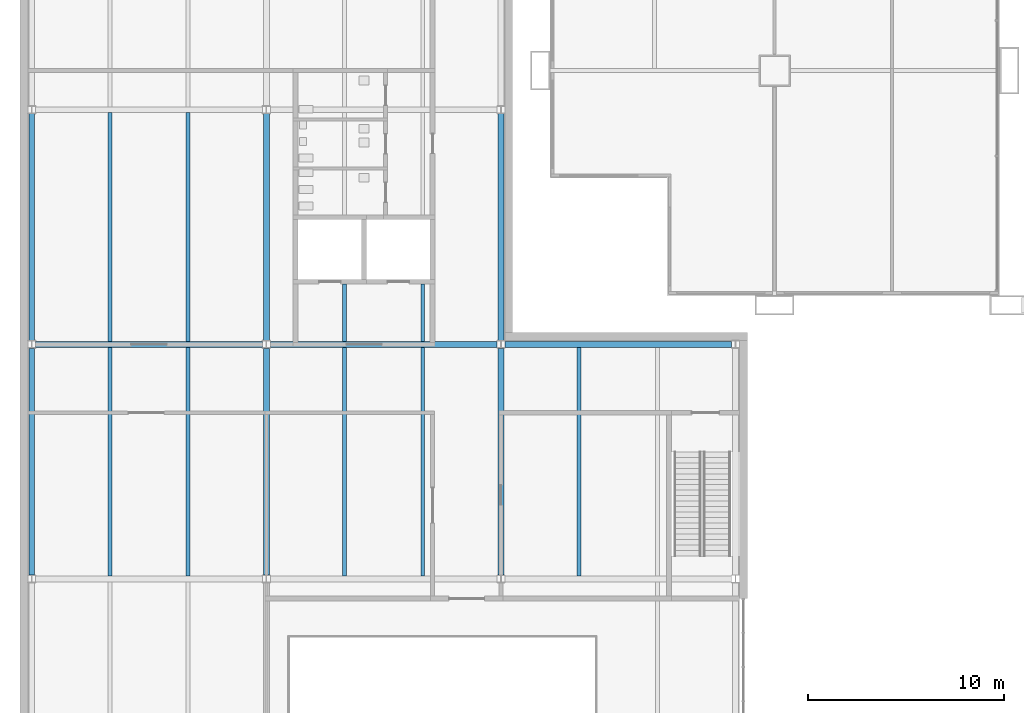
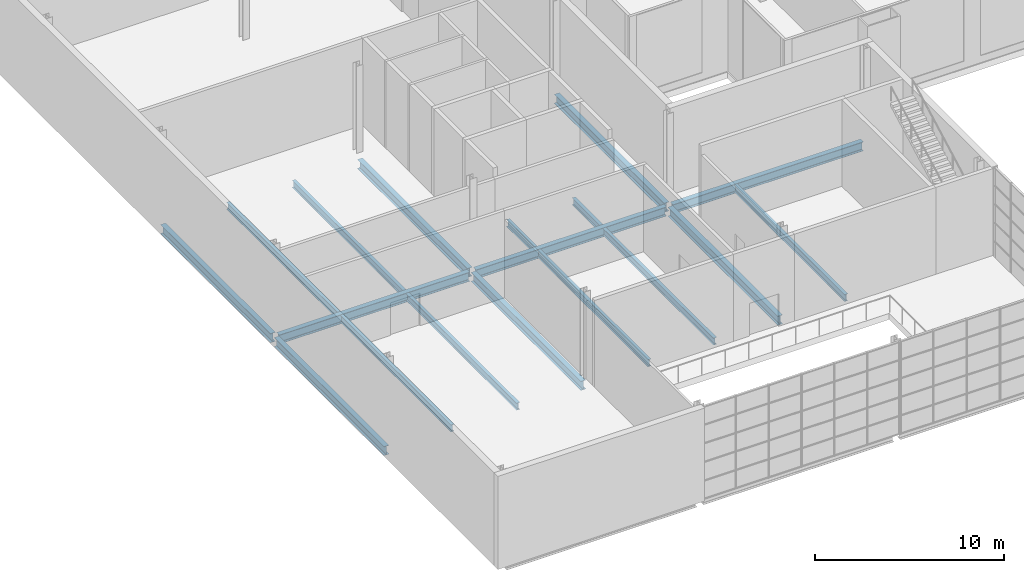
# One storey, part 9 of 30: 18 beams.
"""IFC4 building model written with IfcOpenShell, lengths in metres."""

from ifc_helpers import new_model, si_unit, direction, frame, origin, origin_2d, place, context, subcontext, project, spatial, i_section, extrude, material, material_profile, profile_set, type_object, element, save


model = new_model("IFC4")

# Units and contexts
model_context = context("Model", 3, precision=1e-05, world=origin(), true_north=direction((0.0, 1.0)))
body_context = subcontext(model_context, "Body", "Model", "MODEL_VIEW")
ifc_project = project(units=[si_unit("LENGTHUNIT", "METRE"), si_unit("AREAUNIT", "SQUARE_METRE"), si_unit("VOLUMEUNIT", "CUBIC_METRE"), si_unit("PLANEANGLEUNIT", "RADIAN"), si_unit("MASSUNIT", "GRAM", prefix="KILO")], contexts=[model_context])

# Site, building, storey
site_placement = place(None, origin())
site = spatial("IfcSite", under=ifc_project, at=site_placement, CompositionType="ELEMENT")
building_placement = place(site_placement, origin())
building = spatial("IfcBuilding", under=site, at=building_placement, Name="Kitamizu Gate Tower and Museum", CompositionType="ELEMENT")
storey_placement = place(building_placement, frame((0.0, 0.0, 6.0)))
storey = spatial("IfcBuildingStorey", under=building, at=storey_placement, Name="L01", CompositionType="ELEMENT", Elevation=6.0)

# Beams
ifc_material_1 = material(Name="Steel SS400", Category="steel")
ifc_material_profile_1 = material_profile(ifc_material_1, i_section(OverallWidth=0.300048828125, OverallDepth=0.587890625, WebThickness=0.011962890625, FlangeThickness=0.02001953125, FilletRadius=0.028076171875, at=origin_2d()), Name="H-588x300x12x20")
ifc_profile_set_1 = profile_set([ifc_material_profile_1], Name="Steel SS400")
beam_type_1 = type_object("IfcBeamType", Name="Museum girder H 588x300x12x20", PredefinedType="BEAM", material=ifc_profile_set_1)
for number, where, z_axis, x_axis, name in (
    (1, (-25.800048828125, -2.0, -0.694091796875), (1.0, 0.0, 0.0), (0.0, 1.0, 0.0), "Girder xM1M2MC"),
    (2, (-13.800048828125, -2.0, -0.694091796875), (1.0, 0.0, 0.0), (0.0, 1.0, 0.0), "Girder xM2M3MC"),
    (3, (-1.800048828125, -2.0, -0.694091796875), (1.0, 0.0, 0.0), (0.0, 1.0, 0.0), "Girder xM3M4MC"),
    (4, (-26.0, -13.800048828125, -0.694091796875), (0.0, 1.0, 0.0), (-1.0, 0.0, 0.0), "Girder yM1MBMC"),
    (5, (-14.0, -13.800048828125, -0.694091796875), (0.0, 1.0, 0.0), (-1.0, 0.0, 0.0), "Girder yM2MBMC"),
    (6, (-2.0, -13.800048828125, -0.694091796875), (0.0, 1.0, 0.0), (-1.0, 0.0, 0.0), "Girder yM3MBMC"),
    (7, (-26.0, -1.800048828125, -0.694091796875), (0.0, 1.0, 0.0), (-1.0, 0.0, 0.0), "Girder yM1MCMD"),
    (8, (-14.0, -1.800048828125, -0.694091796875), (0.0, 1.0, 0.0), (-1.0, 0.0, 0.0), "Girder yM2MCMD"),
    (9, (-2.0, -1.800048828125, -0.694091796875), (0.0, 1.0, 0.0), (-1.0, 0.0, 0.0), "Girder yM3MCMD"),
):
    element("IfcBeam", number, at=place(storey_placement, frame(where, z_axis=z_axis, x_axis=x_axis)), inside=storey, type_object=beam_type_1, Name=name, PredefinedType="BEAM", context=body_context, shape_type="SweptSolid", body=[
        extrude(i_section(OverallWidth=0.300048828125, OverallDepth=0.587890625, WebThickness=0.011962890625, FlangeThickness=0.02001953125, FilletRadius=0.028076171875, at=origin_2d()), origin(), (0.0, 0.0, 1.0), 11.60009765625),
    ])
ifc_material_2 = material(Name="Steel SS400", Category="steel")
ifc_material_profile_2 = material_profile(ifc_material_2, i_section(OverallWidth=0.199951171875, OverallDepth=0.449951171875, WebThickness=0.009033203125, FlangeThickness=0.013916015625, FilletRadius=0.01806640625, at=origin_2d()), Name="H-450x200x9x14")
ifc_profile_set_2 = profile_set([ifc_material_profile_2], Name="Steel SS400")
beam_type_2 = type_object("IfcBeamType", Name="Museum secondary beam H 450x200x9x14", PredefinedType="JOIST", material=ifc_profile_set_2)
for number, where, z_axis, x_axis, name in (
    (10, (-22.0, -13.85009765625, -0.625), (0.0, 1.0, 0.0), (-1.0, 0.0, 0.0), "Secondary beam M1M2MBMC.1"),
    (11, (-18.0, -13.85009765625, -0.625), (0.0, 1.0, 0.0), (-1.0, 0.0, 0.0), "Secondary beam M1M2MBMC.2"),
    (12, (-22.0, -1.85009765625, -0.625), (0.0, 1.0, 0.0), (-1.0, 0.0, 0.0), "Secondary beam M1M2MCMD.1"),
    (13, (-18.0, -1.85009765625, -0.625), (0.0, 1.0, 0.0), (-1.0, 0.0, 0.0), "Secondary beam M1M2MCMD.2"),
    (14, (-10.0, -13.85009765625, -0.625), (0.0, 1.0, 0.0), (-1.0, 0.0, 0.0), "Secondary beam M2M3MBMC.1"),
    (15, (-6.0, -13.85009765625, -0.625), (0.0, 1.0, 0.0), (-1.0, 0.0, 0.0), "Secondary beam M2M3MBMC.2"),
):
    element("IfcBeam", number, at=place(storey_placement, frame(where, z_axis=z_axis, x_axis=x_axis)), inside=storey, type_object=beam_type_2, Name=name, PredefinedType="JOIST", context=body_context, shape_type="SweptSolid", body=[
        extrude(i_section(OverallWidth=0.199951171875, OverallDepth=0.449951171875, WebThickness=0.009033203125, FlangeThickness=0.013916015625, FilletRadius=0.01806640625, at=origin_2d()), origin(), (0.0, 0.0, 1.0), 11.7001953125),
    ])
for number, where, z_axis, x_axis, name in (
    (16, (-10.0, -1.85009765625, -0.625), (0.0, 1.0, 0.0), (-1.0, 0.0, 0.0), "Secondary beam M2M3MCMD.1"),
    (17, (-6.0, -1.85009765625, -0.625), (0.0, 1.0, 0.0), (-1.0, 0.0, 0.0), "Secondary beam M2M3MCMD.2"),
):
    element("IfcBeam", number, at=place(storey_placement, frame(where, z_axis=z_axis, x_axis=x_axis)), inside=storey, type_object=beam_type_2, Name=name, PredefinedType="JOIST", context=body_context, shape_type="SweptSolid", body=[
        extrude(i_section(OverallWidth=0.199951171875, OverallDepth=0.449951171875, WebThickness=0.009033203125, FlangeThickness=0.013916015625, FilletRadius=0.01806640625, at=origin_2d()), origin(), (0.0, 0.0, 1.0), 2.925048828125),
    ])
beam_placement = place(storey_placement, frame((2.0, -13.85009765625, -0.625), z_axis=(0.0, 1.0, 0.0), x_axis=(-1.0, 0.0, 0.0)))
element("IfcBeam", 18, at=beam_placement, inside=storey, type_object=beam_type_2, Name="Secondary beam M3M4MBMC.1", PredefinedType="JOIST", context=body_context, shape_type="SweptSolid", body=[
    extrude(i_section(OverallWidth=0.199951171875, OverallDepth=0.449951171875, WebThickness=0.009033203125, FlangeThickness=0.013916015625, FilletRadius=0.01806640625, at=origin_2d()), origin(), (0.0, 0.0, 1.0), 11.7001953125),
])

save(model, "model.ifc")
